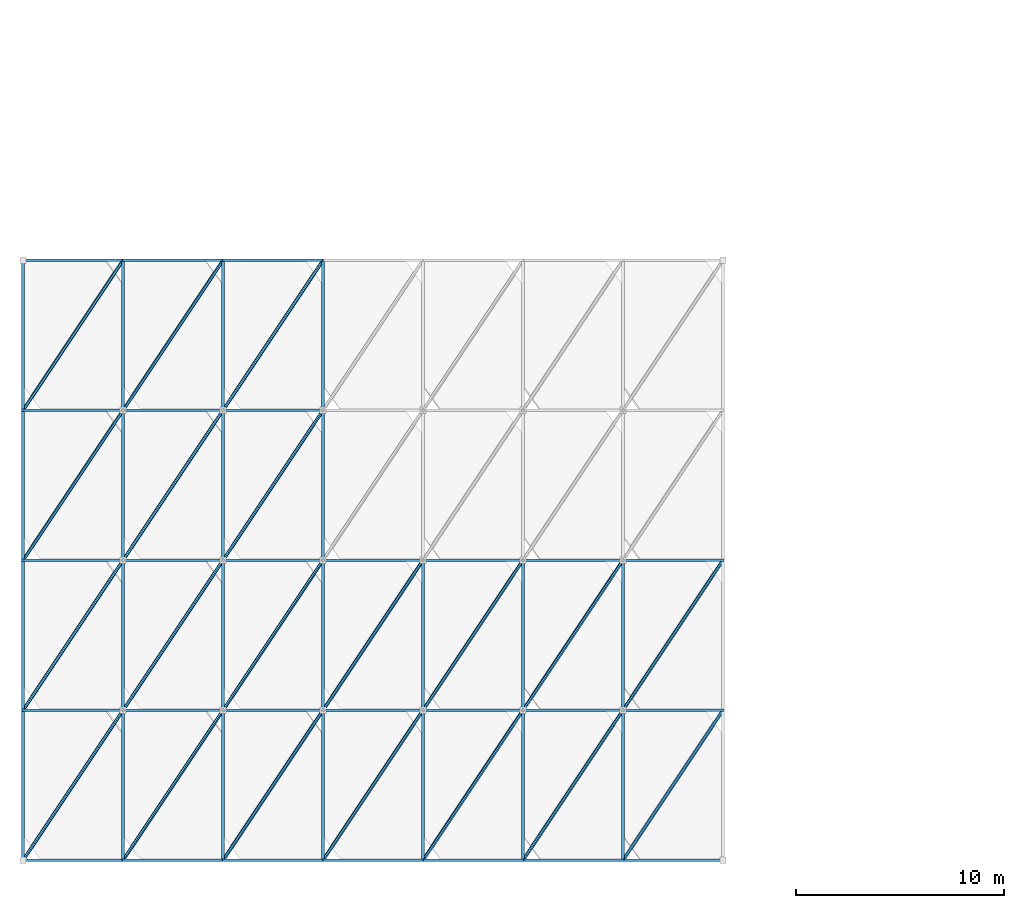
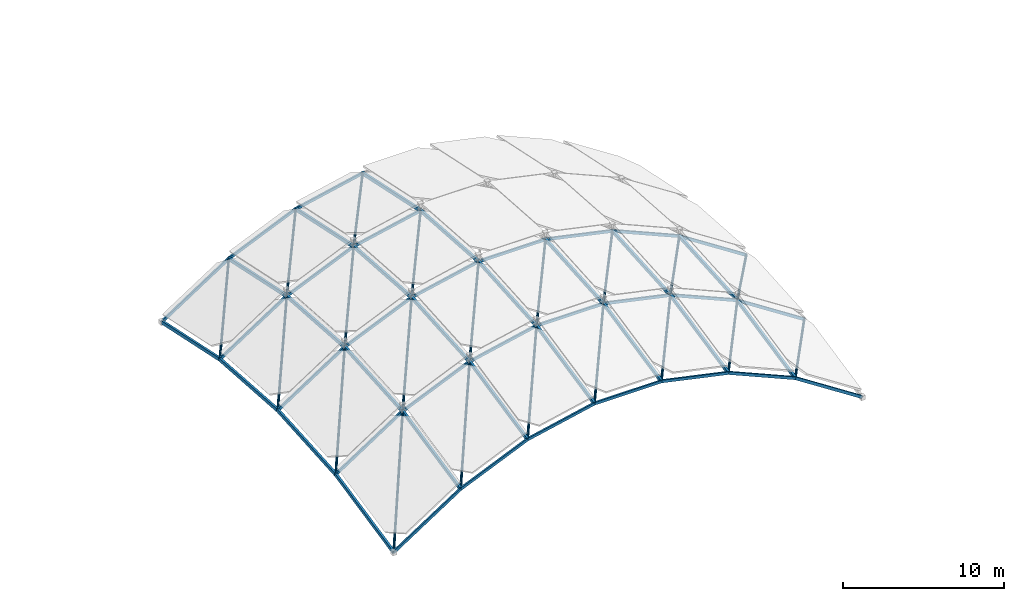
# One storey, part 1 of 9: 69 members.
"""IFC4 building model written with IfcOpenShell, lengths in metres."""

from ifc_helpers import new_model, si_unit, direction, frame, origin, origin_2d, place, context, subcontext, project, spatial, hollow_rectangle, hollow_circle, extrude, material, material_profile, profile_set, type_object, element, save


model = new_model("IFC4")

# Units and contexts
model_context = context("Model", 3, precision=1e-05, world=origin(), true_north=direction((0.0, 1.0)))
body_context = subcontext(model_context, "Body", "Model", "MODEL_VIEW")
ifc_project = project(units=[si_unit("LENGTHUNIT", "METRE"), si_unit("AREAUNIT", "SQUARE_METRE"), si_unit("VOLUMEUNIT", "CUBIC_METRE"), si_unit("PLANEANGLEUNIT", "RADIAN"), si_unit("MASSUNIT", "GRAM", prefix="KILO")], contexts=[model_context])

# Site, building, storey
site_placement = place(None, origin())
site = spatial("IfcSite", under=ifc_project, at=site_placement, CompositionType="ELEMENT")
building_placement = place(site_placement, origin())
building = spatial("IfcBuilding", under=site, at=building_placement, Name="Kahlenmark Community Centre", CompositionType="ELEMENT")
storey_placement = place(building_placement, frame((0.0, 0.0, 25.199951171875)))
storey = spatial("IfcBuildingStorey", under=building, at=storey_placement, Name="RF", CompositionType="ELEMENT", Elevation=25.199951171875)

# Members
ifc_material = material(Name="Steel S355", Category="steel")
ifc_material_profile_1 = material_profile(ifc_material, hollow_circle(Radius=0.084228515625, WallThickness=0.008056640625, at=origin_2d()), Name="CHS 168.3x8")
ifc_profile_set_1 = profile_set([ifc_material_profile_1], Name="Steel S355")
member_type_1 = type_object("IfcMemberType", Name="MT-BRACE-CHS168.3x8", PredefinedType="BRACE", material=ifc_profile_set_1)
member_1_placement = place(storey_placement, frame((12.39990234375, 8.800048828125, -7.199951171875), z_axis=(0.488611423558, 0.732904709433, 0.473402116238), x_axis=(-0.832045953765, 0.554706707029, 0.0)))
element("IfcMember", 1, at=member_1_placement, inside=storey, type_object=member_type_1, Name="RF brace GS-DIAG", PredefinedType="BRACE", context=body_context, shape_type="SweptSolid", body=[
    extrude(hollow_circle(Radius=0.084228515625, WallThickness=0.008056640625, at=origin_2d()), origin(), (0.0, 0.0, 1.0), 9.823974609375),
])
member_2_placement = place(storey_placement, frame((12.39990234375, 16.0, -5.667236328125), z_axis=(0.511756198163, 0.767621282744, 0.385827888987), x_axis=(-0.832045953765, 0.554706707029, 0.0)))
element("IfcMember", 2, at=member_2_placement, inside=storey, type_object=member_type_1, Name="RF brace GS-DIAG", PredefinedType="BRACE", context=body_context, shape_type="SweptSolid", body=[
    extrude(hollow_circle(Radius=0.084228515625, WallThickness=0.008056640625, at=origin_2d()), origin(), (0.0, 0.0, 1.0), 9.379638671875),
])
member_3_placement = place(storey_placement, frame((12.39990234375, 23.199951171875, -5.166259765625), z_axis=(0.530957548367, 0.79642281974, 0.289473269974), x_axis=(-0.832045953765, 0.554706707029, 0.0)))
element("IfcMember", 3, at=member_3_placement, inside=storey, type_object=member_type_1, Name="RF brace GS-DIAG", PredefinedType="BRACE", context=body_context, shape_type="SweptSolid", body=[
    extrude(hollow_circle(Radius=0.084228515625, WallThickness=0.008056640625, at=origin_2d()), origin(), (0.0, 0.0, 1.0), 9.040283203125),
])
member_4_placement = place(storey_placement, frame((12.39990234375, 30.39990234375, -5.667236328125), z_axis=(0.545614569036, 0.818435729109, 0.180187955686), x_axis=(-0.832054634757, 0.554693685541, 0.0)))
element("IfcMember", 4, at=member_4_placement, inside=storey, type_object=member_type_1, Name="RF brace GS-DIAG", PredefinedType="BRACE", context=body_context, shape_type="SweptSolid", body=[
    extrude(hollow_circle(Radius=0.084228515625, WallThickness=0.008056640625, at=origin_2d()), origin(), (0.0, 0.0, 1.0), 8.797607421875),
])
member_5_placement = place(storey_placement, frame((17.199951171875, 8.800048828125, -4.08203125), z_axis=(0.511910294357, 0.767852423115, 0.385162961417), x_axis=(-0.832045953765, 0.554706707029, 0.0)))
element("IfcMember", 5, at=member_5_placement, inside=storey, type_object=member_type_1, Name="RF brace GS-DIAG", PredefinedType="BRACE", context=body_context, shape_type="SweptSolid", body=[
    extrude(hollow_circle(Radius=0.084228515625, WallThickness=0.008056640625, at=origin_2d()), origin(), (0.0, 0.0, 1.0), 9.376708984375),
])
member_6_placement = place(storey_placement, frame((17.199951171875, 16.0, -2.54931640625), z_axis=(0.531589200155, 0.797370281357, 0.285680865105), x_axis=(-0.832045953765, 0.554706707029, 0.0)))
element("IfcMember", 6, at=member_6_placement, inside=storey, type_object=member_type_1, Name="RF brace GS-DIAG", PredefinedType="BRACE", context=body_context, shape_type="SweptSolid", body=[
    extrude(hollow_circle(Radius=0.084228515625, WallThickness=0.008056640625, at=origin_2d()), origin(), (0.0, 0.0, 1.0), 9.029541015625),
])
member_7_placement = place(storey_placement, frame((17.199951171875, 23.199951171875, -2.04833984375), z_axis=(0.545708645327, 0.818549090043, 0.179386347324), x_axis=(-0.832045953765, 0.554706707029, 0.0)))
element("IfcMember", 7, at=member_7_placement, inside=storey, type_object=member_type_1, Name="RF brace GS-DIAG", PredefinedType="BRACE", context=body_context, shape_type="SweptSolid", body=[
    extrude(hollow_circle(Radius=0.084228515625, WallThickness=0.008056640625, at=origin_2d()), origin(), (0.0, 0.0, 1.0), 8.7958984375),
])
member_8_placement = place(storey_placement, frame((17.199951171875, 30.39990234375, -2.54931640625), z_axis=(0.55359324094, 0.830403939871, 0.062958877307), x_axis=(-0.832054634757, 0.554693685541, 0.0)))
element("IfcMember", 8, at=member_8_placement, inside=storey, type_object=member_type_1, Name="RF brace GS-DIAG", PredefinedType="BRACE", context=body_context, shape_type="SweptSolid", body=[
    extrude(hollow_circle(Radius=0.084228515625, WallThickness=0.008056640625, at=origin_2d()), origin(), (0.0, 0.0, 1.0), 8.670654296875),
])
member_9_placement = place(storey_placement, frame((22.0, 8.800048828125, -2.00341796875), z_axis=(0.531712250516, 0.797554853769, 0.284935673233), x_axis=(-0.832045953765, 0.554706707029, 0.0)))
element("IfcMember", 9, at=member_9_placement, inside=storey, type_object=member_type_1, Name="RF brace GS-DIAG", PredefinedType="BRACE", context=body_context, shape_type="SweptSolid", body=[
    extrude(hollow_circle(Radius=0.084228515625, WallThickness=0.008056640625, at=origin_2d()), origin(), (0.0, 0.0, 1.0), 9.027587890625),
])
member_10_placement = place(storey_placement, frame((22.0, 16.0, -0.470458984375), z_axis=(0.546125222023, 0.819173944494, 0.17521783737), x_axis=(-0.832045953765, 0.554706707029, 0.0)))
element("IfcMember", 10, at=member_10_placement, inside=storey, type_object=member_type_1, Name="RF brace GS-DIAG", PredefinedType="BRACE", context=body_context, shape_type="SweptSolid", body=[
    extrude(hollow_circle(Radius=0.084228515625, WallThickness=0.008056640625, at=origin_2d()), origin(), (0.0, 0.0, 1.0), 8.789306640625),
])
member_11_placement = place(storey_placement, frame((22.0, 23.199951171875, 0.0302734375), z_axis=(0.553635433057, 0.830439070052, 0.062118903684), x_axis=(-0.832045953765, 0.554706707029, 0.0)))
element("IfcMember", 11, at=member_11_placement, inside=storey, type_object=member_type_1, Name="RF brace GS-DIAG", PredefinedType="BRACE", context=body_context, shape_type="SweptSolid", body=[
    extrude(hollow_circle(Radius=0.084228515625, WallThickness=0.008056640625, at=origin_2d()), origin(), (0.0, 0.0, 1.0), 8.670166015625),
])
member_12_placement = place(storey_placement, frame((22.0, 30.39990234375, -0.470458984375), z_axis=(0.553794200965, 0.830705385019, -0.056925796254), x_axis=(-0.832054634757, 0.554693685541, 0.0)))
element("IfcMember", 12, at=member_12_placement, inside=storey, type_object=member_type_1, Name="RF brace GS-DIAG", PredefinedType="BRACE", context=body_context, shape_type="SweptSolid", body=[
    extrude(hollow_circle(Radius=0.084228515625, WallThickness=0.008056640625, at=origin_2d()), origin(), (0.0, 0.0, 1.0), 8.66748046875),
])
member_13_placement = place(storey_placement, frame((26.800048828125, 8.800048828125, -0.9638671875), z_axis=(0.546204790197, 0.81929329473, 0.17440993199), x_axis=(-0.832045953765, 0.554706707029, 0.0)))
element("IfcMember", 13, at=member_13_placement, inside=storey, type_object=member_type_1, Name="RF brace GS-DIAG", PredefinedType="BRACE", context=body_context, shape_type="SweptSolid", body=[
    extrude(hollow_circle(Radius=0.084228515625, WallThickness=0.008056640625, at=origin_2d()), origin(), (0.0, 0.0, 1.0), 8.7880859375),
])
member_14_placement = place(storey_placement, frame((26.800048828125, 16.0, 0.56884765625), z_axis=(0.553780322332, 0.830656400279, 0.057769362754), x_axis=(-0.832045953765, 0.554706707029, 0.0)))
element("IfcMember", 14, at=member_14_placement, inside=storey, type_object=member_type_1, Name="RF brace GS-DIAG", PredefinedType="BRACE", context=body_context, shape_type="SweptSolid", body=[
    extrude(hollow_circle(Radius=0.084228515625, WallThickness=0.008056640625, at=origin_2d()), origin(), (0.0, 0.0, 1.0), 8.667724609375),
])
member_15_placement = place(storey_placement, frame((31.60009765625, 8.800048828125, -0.9638671875), z_axis=(0.55378763008, 0.830709613361, 0.056928016297), x_axis=(-0.832058975466, 0.554687174313, 0.0)))
element("IfcMember", 15, at=member_15_placement, inside=storey, type_object=member_type_1, Name="RF brace GS-DIAG", PredefinedType="BRACE", context=body_context, shape_type="SweptSolid", body=[
    extrude(hollow_circle(Radius=0.084228515625, WallThickness=0.008056640625, at=origin_2d()), origin(), (0.0, 0.0, 1.0), 8.667236328125),
])
member_16_placement = place(storey_placement, frame((31.60009765625, 16.0, 0.56884765625), z_axis=(0.55361590463, 0.830452016452, -0.062119872107), x_axis=(-0.832058975466, 0.554687174313, 0.0)))
element("IfcMember", 16, at=member_16_placement, inside=storey, type_object=member_type_1, Name="RF brace GS-DIAG", PredefinedType="BRACE", context=body_context, shape_type="SweptSolid", body=[
    extrude(hollow_circle(Radius=0.084228515625, WallThickness=0.008056640625, at=origin_2d()), origin(), (0.0, 0.0, 1.0), 8.669921875),
])
member_17_placement = place(storey_placement, frame((36.39990234375, 8.800048828125, -2.00341796875), z_axis=(0.553606185081, 0.830395198831, -0.062960349415), x_axis=(-0.832045953765, 0.554706707029, 0.0)))
element("IfcMember", 17, at=member_17_placement, inside=storey, type_object=member_type_1, Name="RF brace GS-DIAG", PredefinedType="BRACE", context=body_context, shape_type="SweptSolid", body=[
    extrude(hollow_circle(Radius=0.084228515625, WallThickness=0.008056640625, at=origin_2d()), origin(), (0.0, 0.0, 1.0), 8.67041015625),
])
member_18_placement = place(storey_placement, frame((36.39990234375, 16.0, -0.470458984375), z_axis=(0.545708645327, 0.818549090043, -0.179386347324), x_axis=(-0.832045953765, 0.554706707029, 0.0)))
element("IfcMember", 18, at=member_18_placement, inside=storey, type_object=member_type_1, Name="RF brace GS-DIAG", PredefinedType="BRACE", context=body_context, shape_type="SweptSolid", body=[
    extrude(hollow_circle(Radius=0.084228515625, WallThickness=0.008056640625, at=origin_2d()), origin(), (0.0, 0.0, 1.0), 8.7958984375),
])
member_19_placement = place(storey_placement, frame((41.199951171875, 8.800048828125, -4.08203125), z_axis=(0.545626961519, 0.818426566408, -0.180192048275), x_axis=(-0.832045953765, 0.554706707029, 0.0)))
element("IfcMember", 19, at=member_19_placement, inside=storey, type_object=member_type_1, Name="RF brace GS-DIAG", PredefinedType="BRACE", context=body_context, shape_type="SweptSolid", body=[
    extrude(hollow_circle(Radius=0.084228515625, WallThickness=0.008056640625, at=origin_2d()), origin(), (0.0, 0.0, 1.0), 8.79736328125),
])
member_20_placement = place(storey_placement, frame((41.199951171875, 16.0, -2.54931640625), z_axis=(0.530957548367, 0.79642281974, -0.289473269974), x_axis=(-0.832045953765, 0.554706707029, 0.0)))
element("IfcMember", 20, at=member_20_placement, inside=storey, type_object=member_type_1, Name="RF brace GS-DIAG", PredefinedType="BRACE", context=body_context, shape_type="SweptSolid", body=[
    extrude(hollow_circle(Radius=0.084228515625, WallThickness=0.008056640625, at=origin_2d()), origin(), (0.0, 0.0, 1.0), 9.040283203125),
])
ifc_material_profile_2 = material_profile(ifc_material, hollow_rectangle(XDim=0.1201171875, YDim=0.199951171875, WallThickness=0.008056640625, at=origin_2d()), Name="RHS 200x120x8")
ifc_profile_set_2 = profile_set([ifc_material_profile_2], Name="Steel S355")
member_type_2 = type_object("IfcMemberType", Name="MT-RAFTER-RHS200x120x8", PredefinedType="RAFTER", material=ifc_profile_set_2)
member_21_placement = place(storey_placement, frame((12.39990234375, 8.800048828125, -7.199951171875), z_axis=(0.838612166546, 0.0, 0.54472895473), x_axis=(0.0, 1.0, 0.0)))
element("IfcMember", 21, at=member_21_placement, inside=storey, type_object=member_type_2, Name="RF rafter GS-RIB-L", PredefinedType="RAFTER", context=body_context, shape_type="SweptSolid", body=[
    extrude(hollow_rectangle(XDim=0.1201171875, YDim=0.199951171875, WallThickness=0.008056640625, at=origin_2d()), origin(), (0.0, 0.0, 1.0), 5.723876953125),
])
member_22_placement = place(storey_placement, frame((17.199951171875, 8.800048828125, -4.08203125), z_axis=(0.917653791342, 0.0, 0.39738082394), x_axis=(0.0, 1.0, 0.0)))
element("IfcMember", 22, at=member_22_placement, inside=storey, type_object=member_type_2, Name="RF rafter GS-RIB-L", PredefinedType="RAFTER", context=body_context, shape_type="SweptSolid", body=[
    extrude(hollow_rectangle(XDim=0.1201171875, YDim=0.199951171875, WallThickness=0.008056640625, at=origin_2d()), origin(), (0.0, 0.0, 1.0), 5.230712890625),
])
member_23_placement = place(storey_placement, frame((22.0, 8.800048828125, -2.00341796875), z_axis=(0.977342510719, 0.0, 0.211663924045), x_axis=(0.0, 1.0, 0.0)))
element("IfcMember", 23, at=member_23_placement, inside=storey, type_object=member_type_2, Name="RF rafter GS-RIB-L", PredefinedType="RAFTER", context=body_context, shape_type="SweptSolid", body=[
    extrude(hollow_rectangle(XDim=0.1201171875, YDim=0.199951171875, WallThickness=0.008056640625, at=origin_2d()), origin(), (0.0, 0.0, 1.0), 4.911376953125),
])
member_24_placement = place(storey_placement, frame((26.800048828125, 8.800048828125, -0.9638671875), z_axis=(1.0, 0.0, 0.0), x_axis=(0.0, 1.0, 0.0)))
element("IfcMember", 24, at=member_24_placement, inside=storey, type_object=member_type_2, Name="RF rafter GS-RIB-L", PredefinedType="RAFTER", context=body_context, shape_type="SweptSolid", body=[
    extrude(hollow_rectangle(XDim=0.1201171875, YDim=0.199951171875, WallThickness=0.008056640625, at=origin_2d()), origin(), (0.0, 0.0, 1.0), 4.800048828125),
])
member_25_placement = place(storey_placement, frame((31.60009765625, 8.800048828125, -0.9638671875), z_axis=(0.977340283481, 0.0, -0.211674207887), x_axis=(0.0, 1.0, 0.0)))
element("IfcMember", 25, at=member_25_placement, inside=storey, type_object=member_type_2, Name="RF rafter GS-RIB-L", PredefinedType="RAFTER", context=body_context, shape_type="SweptSolid", body=[
    extrude(hollow_rectangle(XDim=0.1201171875, YDim=0.199951171875, WallThickness=0.008056640625, at=origin_2d()), origin(), (0.0, 0.0, 1.0), 4.9111328125),
])
member_26_placement = place(storey_placement, frame((36.39990234375, 8.800048828125, -2.00341796875), z_axis=(0.917653791342, 0.0, -0.39738082394), x_axis=(0.0, 1.0, 0.0)))
element("IfcMember", 26, at=member_26_placement, inside=storey, type_object=member_type_2, Name="RF rafter GS-RIB-L", PredefinedType="RAFTER", context=body_context, shape_type="SweptSolid", body=[
    extrude(hollow_rectangle(XDim=0.1201171875, YDim=0.199951171875, WallThickness=0.008056640625, at=origin_2d()), origin(), (0.0, 0.0, 1.0), 5.230712890625),
])
for number, where, z_axis, x_axis, name in (
    (27, (41.199951171875, 8.800048828125, -4.08203125), (0.838612166546, 0.0, -0.54472895473), (0.0, 1.0, 0.0), "RF rafter GS-RIB-L"),
    (28, (12.39990234375, 16.0, -5.667236328125), (0.838612166546, 0.0, 0.54472895473), (0.0, 1.0, 0.0), "RF rafter GS-RIB-L"),
):
    element("IfcMember", number, at=place(storey_placement, frame(where, z_axis=z_axis, x_axis=x_axis)), inside=storey, type_object=member_type_2, Name=name, PredefinedType="RAFTER", context=body_context, shape_type="SweptSolid", body=[
        extrude(hollow_rectangle(XDim=0.1201171875, YDim=0.199951171875, WallThickness=0.008056640625, at=origin_2d()), origin(), (0.0, 0.0, 1.0), 5.723876953125),
    ])
member_27_placement = place(storey_placement, frame((17.199951171875, 16.0, -2.54931640625), z_axis=(0.917636770837, 0.0, 0.397420126325), x_axis=(0.0, 1.0, 0.0)))
element("IfcMember", 29, at=member_27_placement, inside=storey, type_object=member_type_2, Name="RF rafter GS-RIB-L", PredefinedType="RAFTER", context=body_context, shape_type="SweptSolid", body=[
    extrude(hollow_rectangle(XDim=0.1201171875, YDim=0.199951171875, WallThickness=0.008056640625, at=origin_2d()), origin(), (0.0, 0.0, 1.0), 5.23095703125),
])
member_28_placement = place(storey_placement, frame((22.0, 16.0, -0.470458984375), z_axis=(0.977352793028, 0.0, 0.211616440665), x_axis=(0.0, 1.0, 0.0)))
element("IfcMember", 30, at=member_28_placement, inside=storey, type_object=member_type_2, Name="RF rafter GS-RIB-L", PredefinedType="RAFTER", context=body_context, shape_type="SweptSolid", body=[
    extrude(hollow_rectangle(XDim=0.1201171875, YDim=0.199951171875, WallThickness=0.008056640625, at=origin_2d()), origin(), (0.0, 0.0, 1.0), 4.911376953125),
])
member_29_placement = place(storey_placement, frame((26.800048828125, 16.0, 0.56884765625), z_axis=(1.0, 0.0, 0.0), x_axis=(0.0, 1.0, 0.0)))
element("IfcMember", 31, at=member_29_placement, inside=storey, type_object=member_type_2, Name="RF rafter GS-RIB-L", PredefinedType="RAFTER", context=body_context, shape_type="SweptSolid", body=[
    extrude(hollow_rectangle(XDim=0.1201171875, YDim=0.199951171875, WallThickness=0.008056640625, at=origin_2d()), origin(), (0.0, 0.0, 1.0), 4.800048828125),
])
member_30_placement = place(storey_placement, frame((31.60009765625, 16.0, 0.56884765625), z_axis=(0.977350566767, 0.0, -0.211626722417), x_axis=(0.0, 1.0, 0.0)))
element("IfcMember", 32, at=member_30_placement, inside=storey, type_object=member_type_2, Name="RF rafter GS-RIB-L", PredefinedType="RAFTER", context=body_context, shape_type="SweptSolid", body=[
    extrude(hollow_rectangle(XDim=0.1201171875, YDim=0.199951171875, WallThickness=0.008056640625, at=origin_2d()), origin(), (0.0, 0.0, 1.0), 4.9111328125),
])
member_31_placement = place(storey_placement, frame((36.39990234375, 16.0, -0.470458984375), z_axis=(0.917636770837, 0.0, -0.397420126325), x_axis=(0.0, 1.0, 0.0)))
element("IfcMember", 33, at=member_31_placement, inside=storey, type_object=member_type_2, Name="RF rafter GS-RIB-L", PredefinedType="RAFTER", context=body_context, shape_type="SweptSolid", body=[
    extrude(hollow_rectangle(XDim=0.1201171875, YDim=0.199951171875, WallThickness=0.008056640625, at=origin_2d()), origin(), (0.0, 0.0, 1.0), 5.23095703125),
])
for number, where, z_axis, x_axis, name in (
    (34, (41.199951171875, 16.0, -2.54931640625), (0.838612166546, 0.0, -0.54472895473), (0.0, 1.0, 0.0), "RF rafter GS-RIB-L"),
    (35, (12.39990234375, 23.199951171875, -5.166259765625), (0.838612166546, 0.0, 0.54472895473), (0.0, 1.0, 0.0), "RF rafter GS-RIB-L"),
):
    element("IfcMember", number, at=place(storey_placement, frame(where, z_axis=z_axis, x_axis=x_axis)), inside=storey, type_object=member_type_2, Name=name, PredefinedType="RAFTER", context=body_context, shape_type="SweptSolid", body=[
        extrude(hollow_rectangle(XDim=0.1201171875, YDim=0.199951171875, WallThickness=0.008056640625, at=origin_2d()), origin(), (0.0, 0.0, 1.0), 5.723876953125),
    ])
member_32_placement = place(storey_placement, frame((17.199951171875, 23.199951171875, -2.04833984375), z_axis=(0.917653791342, 0.0, 0.39738082394), x_axis=(0.0, 1.0, 0.0)))
element("IfcMember", 36, at=member_32_placement, inside=storey, type_object=member_type_2, Name="RF rafter GS-RIB-L", PredefinedType="RAFTER", context=body_context, shape_type="SweptSolid", body=[
    extrude(hollow_rectangle(XDim=0.1201171875, YDim=0.199951171875, WallThickness=0.008056640625, at=origin_2d()), origin(), (0.0, 0.0, 1.0), 5.230712890625),
])
member_33_placement = place(storey_placement, frame((22.0, 23.199951171875, 0.0302734375), z_axis=(0.977352793028, 0.0, 0.211616440665), x_axis=(0.0, 1.0, 0.0)))
element("IfcMember", 37, at=member_33_placement, inside=storey, type_object=member_type_2, Name="RF rafter GS-RIB-L", PredefinedType="RAFTER", context=body_context, shape_type="SweptSolid", body=[
    extrude(hollow_rectangle(XDim=0.1201171875, YDim=0.199951171875, WallThickness=0.008056640625, at=origin_2d()), origin(), (0.0, 0.0, 1.0), 4.911376953125),
])
member_34_placement = place(storey_placement, frame((26.800048828125, 23.199951171875, 1.069580078125), z_axis=(1.0, 0.0, 0.0), x_axis=(0.0, 1.0, 0.0)))
element("IfcMember", 38, at=member_34_placement, inside=storey, type_object=member_type_2, Name="RF rafter GS-RIB-L", PredefinedType="RAFTER", context=body_context, shape_type="SweptSolid", body=[
    extrude(hollow_rectangle(XDim=0.1201171875, YDim=0.199951171875, WallThickness=0.008056640625, at=origin_2d()), origin(), (0.0, 0.0, 1.0), 4.800048828125),
])
member_35_placement = place(storey_placement, frame((31.60009765625, 23.199951171875, 1.069580078125), z_axis=(0.977350566767, 0.0, -0.211626722417), x_axis=(0.0, 1.0, 0.0)))
element("IfcMember", 39, at=member_35_placement, inside=storey, type_object=member_type_2, Name="RF rafter GS-RIB-L", PredefinedType="RAFTER", context=body_context, shape_type="SweptSolid", body=[
    extrude(hollow_rectangle(XDim=0.1201171875, YDim=0.199951171875, WallThickness=0.008056640625, at=origin_2d()), origin(), (0.0, 0.0, 1.0), 4.9111328125),
])
member_36_placement = place(storey_placement, frame((36.39990234375, 23.199951171875, 0.0302734375), z_axis=(0.917653791342, 0.0, -0.39738082394), x_axis=(0.0, 1.0, 0.0)))
element("IfcMember", 40, at=member_36_placement, inside=storey, type_object=member_type_2, Name="RF rafter GS-RIB-L", PredefinedType="RAFTER", context=body_context, shape_type="SweptSolid", body=[
    extrude(hollow_rectangle(XDim=0.1201171875, YDim=0.199951171875, WallThickness=0.008056640625, at=origin_2d()), origin(), (0.0, 0.0, 1.0), 5.230712890625),
])
for number, where, z_axis, x_axis, name in (
    (41, (41.199951171875, 23.199951171875, -2.04833984375), (0.838612166546, 0.0, -0.54472895473), (0.0, 1.0, 0.0), "RF rafter GS-RIB-L"),
    (42, (12.39990234375, 30.39990234375, -5.667236328125), (0.838612166546, 0.0, 0.54472895473), (0.0, 1.0, 0.0), "RF rafter GS-RIB-L"),
):
    element("IfcMember", number, at=place(storey_placement, frame(where, z_axis=z_axis, x_axis=x_axis)), inside=storey, type_object=member_type_2, Name=name, PredefinedType="RAFTER", context=body_context, shape_type="SweptSolid", body=[
        extrude(hollow_rectangle(XDim=0.1201171875, YDim=0.199951171875, WallThickness=0.008056640625, at=origin_2d()), origin(), (0.0, 0.0, 1.0), 5.723876953125),
    ])
member_37_placement = place(storey_placement, frame((17.199951171875, 30.39990234375, -2.54931640625), z_axis=(0.917636770837, 0.0, 0.397420126325), x_axis=(0.0, 1.0, 0.0)))
element("IfcMember", 43, at=member_37_placement, inside=storey, type_object=member_type_2, Name="RF rafter GS-RIB-L", PredefinedType="RAFTER", context=body_context, shape_type="SweptSolid", body=[
    extrude(hollow_rectangle(XDim=0.1201171875, YDim=0.199951171875, WallThickness=0.008056640625, at=origin_2d()), origin(), (0.0, 0.0, 1.0), 5.23095703125),
])
member_38_placement = place(storey_placement, frame((22.0, 30.39990234375, -0.470458984375), z_axis=(0.977352793028, 0.0, 0.211616440665), x_axis=(0.0, 1.0, 0.0)))
element("IfcMember", 44, at=member_38_placement, inside=storey, type_object=member_type_2, Name="RF rafter GS-RIB-L", PredefinedType="RAFTER", context=body_context, shape_type="SweptSolid", body=[
    extrude(hollow_rectangle(XDim=0.1201171875, YDim=0.199951171875, WallThickness=0.008056640625, at=origin_2d()), origin(), (0.0, 0.0, 1.0), 4.911376953125),
])
member_39_placement = place(storey_placement, frame((12.39990234375, 37.60009765625, -7.199951171875), z_axis=(0.838612166546, 0.0, 0.54472895473), x_axis=(0.0, 1.0, 0.0)))
element("IfcMember", 45, at=member_39_placement, inside=storey, type_object=member_type_2, Name="RF rafter GS-RIB-L", PredefinedType="RAFTER", context=body_context, shape_type="SweptSolid", body=[
    extrude(hollow_rectangle(XDim=0.1201171875, YDim=0.199951171875, WallThickness=0.008056640625, at=origin_2d()), origin(), (0.0, 0.0, 1.0), 5.723876953125),
])
member_40_placement = place(storey_placement, frame((17.199951171875, 37.60009765625, -4.08203125), z_axis=(0.917653791342, 0.0, 0.39738082394), x_axis=(0.0, 1.0, 0.0)))
element("IfcMember", 46, at=member_40_placement, inside=storey, type_object=member_type_2, Name="RF rafter GS-RIB-L", PredefinedType="RAFTER", context=body_context, shape_type="SweptSolid", body=[
    extrude(hollow_rectangle(XDim=0.1201171875, YDim=0.199951171875, WallThickness=0.008056640625, at=origin_2d()), origin(), (0.0, 0.0, 1.0), 5.230712890625),
])
member_41_placement = place(storey_placement, frame((22.0, 37.60009765625, -2.00341796875), z_axis=(0.977342510719, 0.0, 0.211663924045), x_axis=(0.0, 1.0, 0.0)))
element("IfcMember", 47, at=member_41_placement, inside=storey, type_object=member_type_2, Name="RF rafter GS-RIB-L", PredefinedType="RAFTER", context=body_context, shape_type="SweptSolid", body=[
    extrude(hollow_rectangle(XDim=0.1201171875, YDim=0.199951171875, WallThickness=0.008056640625, at=origin_2d()), origin(), (0.0, 0.0, 1.0), 4.911376953125),
])
ifc_material_profile_3 = material_profile(ifc_material, hollow_rectangle(XDim=0.14990234375, YDim=0.25, WallThickness=0.010009765625, at=origin_2d()), Name="RHS 250x150x10")
ifc_profile_set_3 = profile_set([ifc_material_profile_3], Name="Steel S355")
member_type_3 = type_object("IfcMemberType", Name="MT-RAFTER-RHS250x150x10", PredefinedType="RAFTER", material=ifc_profile_set_3)
member_42_placement = place(storey_placement, frame((12.39990234375, 8.800048828125, -7.199951171875), z_axis=(0.0, 0.97808351614, 0.208212956981), x_axis=(-1.0, 0.0, 0.0)))
element("IfcMember", 48, at=member_42_placement, inside=storey, type_object=member_type_3, Name="RF rafter GS-RIB-T", PredefinedType="RAFTER", context=body_context, shape_type="SweptSolid", body=[
    extrude(hollow_rectangle(XDim=0.14990234375, YDim=0.25, WallThickness=0.010009765625, at=origin_2d()), origin(), (0.0, 0.0, 1.0), 7.361328125),
])
for number, where, z_axis, x_axis, name in (
    (49, (12.39990234375, 16.0, -5.667236328125), (0.0, 0.997588028092, 0.069412723666), (-1.0, 0.0, 0.0), "RF rafter GS-RIB-T"),
    (50, (12.39990234375, 23.199951171875, -5.166259765625), (0.0, 0.997588028092, -0.069412723666), (-1.0, 0.0, 0.0), "RF rafter GS-RIB-T"),
):
    element("IfcMember", number, at=place(storey_placement, frame(where, z_axis=z_axis, x_axis=x_axis)), inside=storey, type_object=member_type_3, Name=name, PredefinedType="RAFTER", context=body_context, shape_type="SweptSolid", body=[
        extrude(hollow_rectangle(XDim=0.14990234375, YDim=0.25, WallThickness=0.010009765625, at=origin_2d()), origin(), (0.0, 0.0, 1.0), 7.21728515625),
    ])
member_43_placement = place(storey_placement, frame((12.39990234375, 30.39990234375, -5.667236328125), z_axis=(0.0, 0.978084953882, -0.208206203054), x_axis=(-1.0, 0.0, 0.0)))
element("IfcMember", 51, at=member_43_placement, inside=storey, type_object=member_type_3, Name="RF rafter GS-RIB-T", PredefinedType="RAFTER", context=body_context, shape_type="SweptSolid", body=[
    extrude(hollow_rectangle(XDim=0.14990234375, YDim=0.25, WallThickness=0.010009765625, at=origin_2d()), origin(), (0.0, 0.0, 1.0), 7.361572265625),
])
member_44_placement = place(storey_placement, frame((17.199951171875, 8.800048828125, -4.08203125), z_axis=(0.0, 0.97808351614, 0.208212956981), x_axis=(-1.0, 0.0, 0.0)))
element("IfcMember", 52, at=member_44_placement, inside=storey, type_object=member_type_3, Name="RF rafter GS-RIB-T", PredefinedType="RAFTER", context=body_context, shape_type="SweptSolid", body=[
    extrude(hollow_rectangle(XDim=0.14990234375, YDim=0.25, WallThickness=0.010009765625, at=origin_2d()), origin(), (0.0, 0.0, 1.0), 7.361328125),
])
for number, where, z_axis, x_axis, name in (
    (53, (17.199951171875, 16.0, -2.54931640625), (0.0, 0.997588028092, 0.069412723666), (-1.0, 0.0, 0.0), "RF rafter GS-RIB-T"),
    (54, (17.199951171875, 23.199951171875, -2.04833984375), (0.0, 0.997588028092, -0.069412723666), (-1.0, 0.0, 0.0), "RF rafter GS-RIB-T"),
):
    element("IfcMember", number, at=place(storey_placement, frame(where, z_axis=z_axis, x_axis=x_axis)), inside=storey, type_object=member_type_3, Name=name, PredefinedType="RAFTER", context=body_context, shape_type="SweptSolid", body=[
        extrude(hollow_rectangle(XDim=0.14990234375, YDim=0.25, WallThickness=0.010009765625, at=origin_2d()), origin(), (0.0, 0.0, 1.0), 7.21728515625),
    ])
member_45_placement = place(storey_placement, frame((17.199951171875, 30.39990234375, -2.54931640625), z_axis=(0.0, 0.978084953882, -0.208206203054), x_axis=(-1.0, 0.0, 0.0)))
element("IfcMember", 55, at=member_45_placement, inside=storey, type_object=member_type_3, Name="RF rafter GS-RIB-T", PredefinedType="RAFTER", context=body_context, shape_type="SweptSolid", body=[
    extrude(hollow_rectangle(XDim=0.14990234375, YDim=0.25, WallThickness=0.010009765625, at=origin_2d()), origin(), (0.0, 0.0, 1.0), 7.361572265625),
])
member_46_placement = place(storey_placement, frame((22.0, 8.800048828125, -2.00341796875), z_axis=(0.0, 0.978076761531, 0.208244684333), x_axis=(-1.0, 0.0, 0.0)))
element("IfcMember", 56, at=member_46_placement, inside=storey, type_object=member_type_3, Name="RF rafter GS-RIB-T", PredefinedType="RAFTER", context=body_context, shape_type="SweptSolid", body=[
    extrude(hollow_rectangle(XDim=0.14990234375, YDim=0.25, WallThickness=0.010009765625, at=origin_2d()), origin(), (0.0, 0.0, 1.0), 7.361328125),
])
for number, where, z_axis, x_axis, name in (
    (57, (22.0, 16.0, -0.470458984375), (0.0, 0.997590369881, 0.069379059667), (-1.0, 0.0, 0.0), "RF rafter GS-RIB-T"),
    (58, (22.0, 23.199951171875, 0.0302734375), (0.0, 0.997590369881, -0.069379059667), (-1.0, 0.0, 0.0), "RF rafter GS-RIB-T"),
):
    element("IfcMember", number, at=place(storey_placement, frame(where, z_axis=z_axis, x_axis=x_axis)), inside=storey, type_object=member_type_3, Name=name, PredefinedType="RAFTER", context=body_context, shape_type="SweptSolid", body=[
        extrude(hollow_rectangle(XDim=0.14990234375, YDim=0.25, WallThickness=0.010009765625, at=origin_2d()), origin(), (0.0, 0.0, 1.0), 7.21728515625),
    ])
member_47_placement = place(storey_placement, frame((22.0, 30.39990234375, -0.470458984375), z_axis=(0.0, 0.978078199701, -0.20823792947), x_axis=(-1.0, 0.0, 0.0)))
element("IfcMember", 59, at=member_47_placement, inside=storey, type_object=member_type_3, Name="RF rafter GS-RIB-T", PredefinedType="RAFTER", context=body_context, shape_type="SweptSolid", body=[
    extrude(hollow_rectangle(XDim=0.14990234375, YDim=0.25, WallThickness=0.010009765625, at=origin_2d()), origin(), (0.0, 0.0, 1.0), 7.361572265625),
])
member_48_placement = place(storey_placement, frame((26.800048828125, 8.800048828125, -0.9638671875), z_axis=(0.0, 0.97808351614, 0.208212956981), x_axis=(-1.0, 0.0, 0.0)))
element("IfcMember", 60, at=member_48_placement, inside=storey, type_object=member_type_3, Name="RF rafter GS-RIB-T", PredefinedType="RAFTER", context=body_context, shape_type="SweptSolid", body=[
    extrude(hollow_rectangle(XDim=0.14990234375, YDim=0.25, WallThickness=0.010009765625, at=origin_2d()), origin(), (0.0, 0.0, 1.0), 7.361328125),
])
for number, where, z_axis, x_axis, name in (
    (61, (26.800048828125, 16.0, 0.56884765625), (0.0, 0.997590369881, 0.069379059667), (-1.0, 0.0, 0.0), "RF rafter GS-RIB-T"),
    (62, (26.800048828125, 23.199951171875, 1.069580078125), (0.0, 0.997590369881, -0.069379059667), (-1.0, 0.0, 0.0), "RF rafter GS-RIB-T"),
):
    element("IfcMember", number, at=place(storey_placement, frame(where, z_axis=z_axis, x_axis=x_axis)), inside=storey, type_object=member_type_3, Name=name, PredefinedType="RAFTER", context=body_context, shape_type="SweptSolid", body=[
        extrude(hollow_rectangle(XDim=0.14990234375, YDim=0.25, WallThickness=0.010009765625, at=origin_2d()), origin(), (0.0, 0.0, 1.0), 7.21728515625),
    ])
member_49_placement = place(storey_placement, frame((26.800048828125, 30.39990234375, 0.56884765625), z_axis=(0.0, 0.978084953882, -0.208206203054), x_axis=(-1.0, 0.0, 0.0)))
element("IfcMember", 63, at=member_49_placement, inside=storey, type_object=member_type_3, Name="RF rafter GS-RIB-T", PredefinedType="RAFTER", context=body_context, shape_type="SweptSolid", body=[
    extrude(hollow_rectangle(XDim=0.14990234375, YDim=0.25, WallThickness=0.010009765625, at=origin_2d()), origin(), (0.0, 0.0, 1.0), 7.361572265625),
])
member_50_placement = place(storey_placement, frame((31.60009765625, 8.800048828125, -0.9638671875), z_axis=(0.0, 0.97808351614, 0.208212956981), x_axis=(-1.0, 0.0, 0.0)))
element("IfcMember", 64, at=member_50_placement, inside=storey, type_object=member_type_3, Name="RF rafter GS-RIB-T", PredefinedType="RAFTER", context=body_context, shape_type="SweptSolid", body=[
    extrude(hollow_rectangle(XDim=0.14990234375, YDim=0.25, WallThickness=0.010009765625, at=origin_2d()), origin(), (0.0, 0.0, 1.0), 7.361328125),
])
member_51_placement = place(storey_placement, frame((31.60009765625, 16.0, 0.56884765625), z_axis=(0.0, 0.997590369881, 0.069379059667), x_axis=(-1.0, 0.0, 0.0)))
element("IfcMember", 65, at=member_51_placement, inside=storey, type_object=member_type_3, Name="RF rafter GS-RIB-T", PredefinedType="RAFTER", context=body_context, shape_type="SweptSolid", body=[
    extrude(hollow_rectangle(XDim=0.14990234375, YDim=0.25, WallThickness=0.010009765625, at=origin_2d()), origin(), (0.0, 0.0, 1.0), 7.21728515625),
])
member_52_placement = place(storey_placement, frame((36.39990234375, 8.800048828125, -2.00341796875), z_axis=(0.0, 0.978076761531, 0.208244684333), x_axis=(-1.0, 0.0, 0.0)))
element("IfcMember", 66, at=member_52_placement, inside=storey, type_object=member_type_3, Name="RF rafter GS-RIB-T", PredefinedType="RAFTER", context=body_context, shape_type="SweptSolid", body=[
    extrude(hollow_rectangle(XDim=0.14990234375, YDim=0.25, WallThickness=0.010009765625, at=origin_2d()), origin(), (0.0, 0.0, 1.0), 7.361328125),
])
member_53_placement = place(storey_placement, frame((36.39990234375, 16.0, -0.470458984375), z_axis=(0.0, 0.997590369881, 0.069379059667), x_axis=(-1.0, 0.0, 0.0)))
element("IfcMember", 67, at=member_53_placement, inside=storey, type_object=member_type_3, Name="RF rafter GS-RIB-T", PredefinedType="RAFTER", context=body_context, shape_type="SweptSolid", body=[
    extrude(hollow_rectangle(XDim=0.14990234375, YDim=0.25, WallThickness=0.010009765625, at=origin_2d()), origin(), (0.0, 0.0, 1.0), 7.21728515625),
])
member_54_placement = place(storey_placement, frame((41.199951171875, 8.800048828125, -4.08203125), z_axis=(0.0, 0.97808351614, 0.208212956981), x_axis=(-1.0, 0.0, 0.0)))
element("IfcMember", 68, at=member_54_placement, inside=storey, type_object=member_type_3, Name="RF rafter GS-RIB-T", PredefinedType="RAFTER", context=body_context, shape_type="SweptSolid", body=[
    extrude(hollow_rectangle(XDim=0.14990234375, YDim=0.25, WallThickness=0.010009765625, at=origin_2d()), origin(), (0.0, 0.0, 1.0), 7.361328125),
])
member_55_placement = place(storey_placement, frame((41.199951171875, 16.0, -2.54931640625), z_axis=(0.0, 0.997588028092, 0.069412723666), x_axis=(-1.0, 0.0, 0.0)))
element("IfcMember", 69, at=member_55_placement, inside=storey, type_object=member_type_3, Name="RF rafter GS-RIB-T", PredefinedType="RAFTER", context=body_context, shape_type="SweptSolid", body=[
    extrude(hollow_rectangle(XDim=0.14990234375, YDim=0.25, WallThickness=0.010009765625, at=origin_2d()), origin(), (0.0, 0.0, 1.0), 7.21728515625),
])

save(model, "model.ifc")
